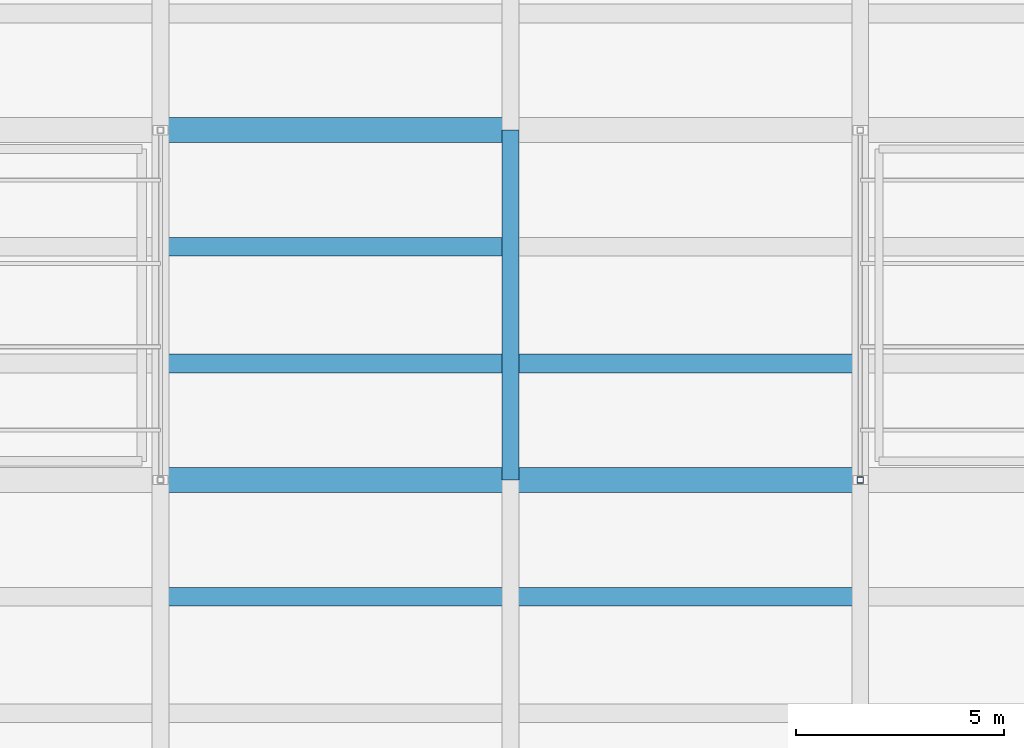
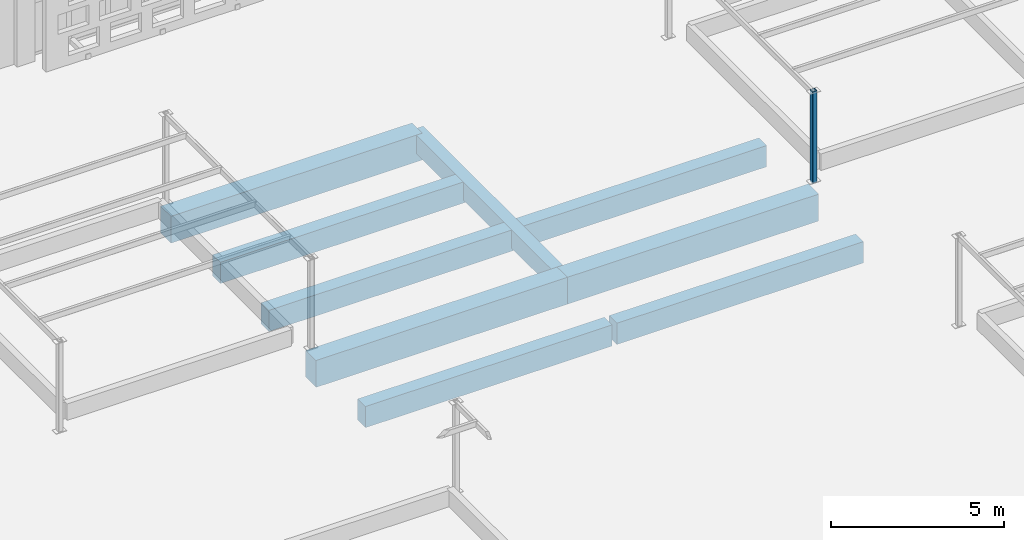
# One storey, part 26 of 129: 9 beams, 1 member.
"""IFC4 building model written with IfcOpenShell, lengths in metres."""

from ifc_helpers import new_model, si_unit, direction, frame, origin, origin_2d, place, context, subcontext, project, spatial, rectangle, hollow_rectangle, extrude, material, material_profile, profile_set, type_object, element, save


model = new_model("IFC4")

# Units and contexts
model_context = context("Model", 3, precision=1e-05, world=origin(), true_north=direction((0.0, 1.0)))
body_context = subcontext(model_context, "Body", "Model", "MODEL_VIEW")
ifc_project = project(units=[si_unit("LENGTHUNIT", "METRE"), si_unit("AREAUNIT", "SQUARE_METRE"), si_unit("VOLUMEUNIT", "CUBIC_METRE"), si_unit("PLANEANGLEUNIT", "RADIAN"), si_unit("MASSUNIT", "GRAM", prefix="KILO")], contexts=[model_context])

# Site, building, storey
site_placement = place(None, origin())
site = spatial("IfcSite", under=ifc_project, at=site_placement, CompositionType="ELEMENT")
building_placement = place(site_placement, origin())
building = spatial("IfcBuilding", under=site, at=building_placement, Name="Varnapada Polytechnic", CompositionType="ELEMENT")
storey_placement = place(building_placement, origin())
storey = spatial("IfcBuildingStorey", under=building, at=storey_placement, Name="L00", CompositionType="ELEMENT", Elevation=0.0)

# Beams
ifc_material_1 = material(Name="Concrete C40/50", Category="concrete")
ifc_material_profile_1 = material_profile(ifc_material_1, rectangle(XDim=0.449951171875, YDim=0.75, at=origin_2d()), Name="RC 450x750")
ifc_profile_set_1 = profile_set([ifc_material_profile_1], Name="Concrete C40/50")
beam_type_1 = type_object("IfcBeamType", Name="Basement/podium secondary beam BB-01 (RC 450x750)", PredefinedType="BEAM", material=ifc_profile_set_1)
for number, where, z_axis, x_axis, name in (
    (1, (75.679931640625, 64.39990234375, -0.655029296875), (1.0, 0.0, 0.0), (0.0, 1.0, 0.0), "L00 floor joist 10/8.2"),
    (2, (75.679931640625, 70.0, -0.655029296875), (1.0, 0.0, 0.0), (0.0, 1.0, 0.0), "L00 floor joist 10/9.1"),
    (3, (75.679931640625, 72.800048828125, -0.655029296875), (1.0, 0.0, 0.0), (0.0, 1.0, 0.0), "L00 floor joist 10/9.2"),
    (4, (84.080078125, 64.39990234375, -0.655029296875), (1.0, 0.0, 0.0), (0.0, 1.0, 0.0), "L00 floor joist 11/8.2"),
    (5, (84.080078125, 70.0, -0.655029296875), (1.0, 0.0, 0.0), (0.0, 1.0, 0.0), "L00 floor joist 11/9.1"),
):
    element("IfcBeam", number, at=place(storey_placement, frame(where, z_axis=z_axis, x_axis=x_axis)), inside=storey, type_object=beam_type_1, Name=name, PredefinedType="BEAM", context=body_context, shape_type="SweptSolid", body=[
        extrude(rectangle(XDim=0.449951171875, YDim=0.75, at=origin_2d()), origin(), (0.0, 0.0, 1.0), 8.239990234375),
    ])
ifc_material_profile_2 = material_profile(ifc_material_1, rectangle(XDim=0.39990234375, YDim=0.64990234375, at=origin_2d()), Name="RC 400x650")
ifc_profile_set_2 = profile_set([ifc_material_profile_2], Name="Concrete C40/50")
beam_type_2 = type_object("IfcBeamType", Name="Podium framing beam BB-02 (RC 400x650)", PredefinedType="BEAM", material=ifc_profile_set_2)
beam_placement = place(storey_placement, frame((84.0, 67.199951171875, -0.60498046875), z_axis=(0.0, 1.0, 0.0), x_axis=(-1.0, 0.0, 0.0)))
element("IfcBeam", 6, at=beam_placement, inside=storey, type_object=beam_type_2, Name="L00 beam Y 9-10 at X11", PredefinedType="BEAM", context=body_context, shape_type="SweptSolid", body=[
    extrude(rectangle(XDim=0.39990234375, YDim=0.64990234375, at=origin_2d()), origin(), (0.0, 0.0, 1.0), 8.400146484375),
])

# Member
ifc_material_2 = material(Name="Steel S355", Category="steel")
ifc_material_profile_3 = material_profile(ifc_material_2, hollow_rectangle(XDim=0.14990234375, YDim=0.14990234375, WallThickness=0.00634765625, InnerFilletRadius=0.006103515625, OuterFilletRadius=0.011962890625, at=origin_2d()), Name="SHS 150x150x6.3")
ifc_profile_set_3 = profile_set([ifc_material_profile_3], Name="Steel S355")
member_type = type_object("IfcMemberType", Name="Sawtooth north-light mullion post SFP-02 (SHS 150x150x6.3)", PredefinedType="POST", material=ifc_profile_set_3)
member_placement = place(storey_placement, frame((92.39990234375, 67.199951171875, -0.02001953125), z_axis=(0.0, 0.0, 1.0), x_axis=(1.0, 0.0, 0.0)))
element("IfcMember", 7, at=member_placement, inside=storey, type_object=member_type, Name="Courtyard planted garden trellis post CT-BED-5.1.1", PredefinedType="POST", context=body_context, shape_type="SweptSolid", body=[
    extrude(hollow_rectangle(XDim=0.14990234375, YDim=0.14990234375, WallThickness=0.00634765625, InnerFilletRadius=0.006103515625, OuterFilletRadius=0.011962890625, at=origin_2d()), origin(), (0.0, 0.0, 1.0), 3.239990234375),
])

# Beams
ifc_material_profile_4 = material_profile(ifc_material_1, rectangle(XDim=0.60009765625, YDim=0.949951171875, at=origin_2d()), Name="RC 600x950")
ifc_profile_set_4 = profile_set([ifc_material_profile_4], Name="Concrete C40/50")
beam_type_3 = type_object("IfcBeamType", Name="Workshop podium heavy girder BG-03 (RC 600x950)", PredefinedType="T_BEAM", material=ifc_profile_set_4)
for number, where, z_axis, x_axis, name in (
    (8, (75.60009765625, 67.199951171875, -0.7548828125), (1.0, 0.0, 0.0), (0.0, 1.0, 0.0), "L00 beam X 10-11 at Y9"),
    (9, (75.60009765625, 75.60009765625, -0.7548828125), (1.0, 0.0, 0.0), (0.0, 1.0, 0.0), "L00 beam X 10-11 at Y10"),
    (10, (84.0, 67.199951171875, -0.7548828125), (1.0, 0.0, 0.0), (0.0, 1.0, 0.0), "L00 beam X 11-12 at Y9"),
):
    element("IfcBeam", number, at=place(storey_placement, frame(where, z_axis=z_axis, x_axis=x_axis)), inside=storey, type_object=beam_type_3, Name=name, PredefinedType="T_BEAM", context=body_context, shape_type="SweptSolid", body=[
        extrude(rectangle(XDim=0.60009765625, YDim=0.949951171875, at=origin_2d()), origin(), (0.0, 0.0, 1.0), 8.39990234375),
    ])

save(model, "model.ifc")
